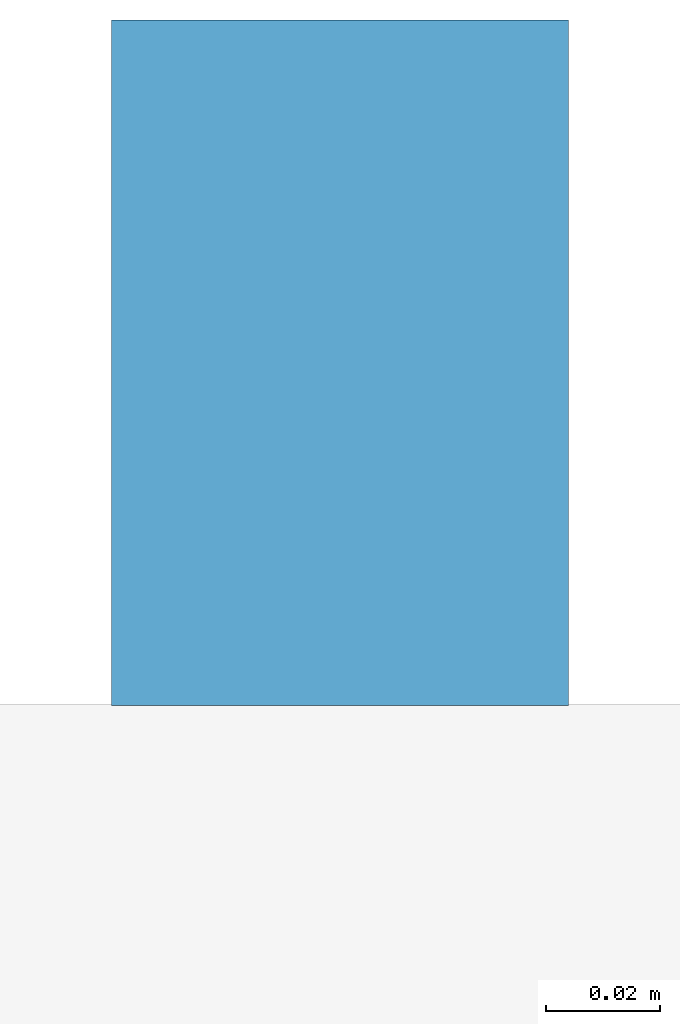
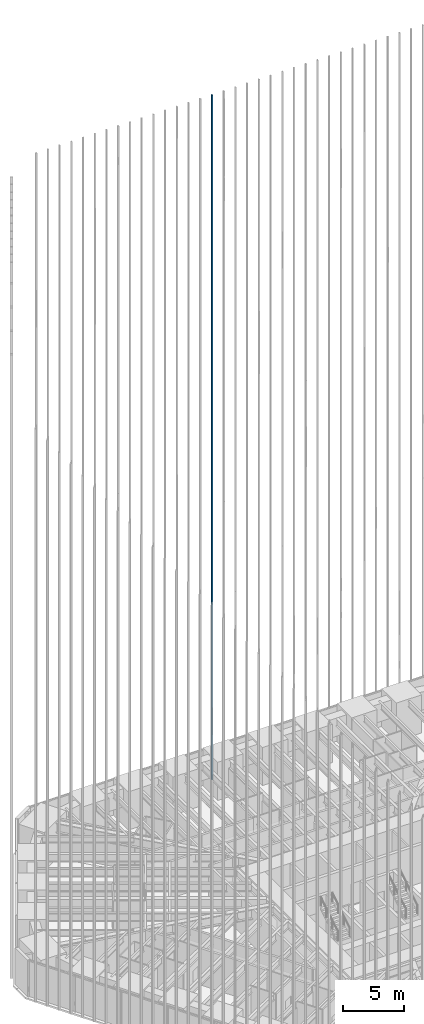
# One storey, part 187 of 256: 1 member, 1 element without a shape of its own.
"""IFC4 building model written with IfcOpenShell, lengths in metres."""

from ifc_helpers import new_model, si_unit, direction, frame, origin, origin_2d, place, context, subcontext, project, spatial, rectangle, extrude, material, material_profile, profile_set, type_object, element, aggregate, save


model = new_model("IFC4")

# Units and contexts
model_context = context("Model", 3, precision=1e-05, world=origin(), true_north=direction((0.0, 1.0)))
body_context = subcontext(model_context, "Body", "Model", "MODEL_VIEW")
ifc_project = project(units=[si_unit("LENGTHUNIT", "METRE"), si_unit("AREAUNIT", "SQUARE_METRE"), si_unit("VOLUMEUNIT", "CUBIC_METRE"), si_unit("PLANEANGLEUNIT", "RADIAN"), si_unit("MASSUNIT", "GRAM", prefix="KILO")], contexts=[model_context])

# Site, building, storey
site_placement = place(None, origin())
site = spatial("IfcSite", under=ifc_project, at=site_placement, CompositionType="ELEMENT")
building_placement = place(site_placement, origin())
building = spatial("IfcBuilding", under=site, at=building_placement, Name="Sandreach Pilgrim Tower", CompositionType="ELEMENT")
storey_placement = place(building_placement, frame((0.0, 0.0, 23.0)))
storey = spatial("IfcBuildingStorey", under=building, at=storey_placement, Name="L04", CompositionType="ELEMENT", Elevation=23.0)

# Curtain wall, member
ifc_material_1 = material(Name="Aluminium framed curtain wall", Category="aluminium")
curtain_wall_type = type_object("IfcCurtainWallType", Name="Hostel tower curtain wall", PredefinedType="NOTDEFINED", material=ifc_material_1)
curtain_wall_placement = place(storey_placement, origin())
curtain_wall = element("IfcCurtainWall", 1, at=curtain_wall_placement, inside=storey, type_object=curtain_wall_type, Name="CW-1 L04 N", PredefinedType="NOTDEFINED")
ifc_material_2 = material(Name="Extruded terracotta on aluminium core", Category="masonry")
ifc_material_profile = material_profile(ifc_material_2, rectangle(XDim=0.080078125, YDim=0.1201171875, at=origin_2d()), Name="TBN 80X120")
ifc_profile_set = profile_set([ifc_material_profile], Name="Extruded terracotta on aluminium core")
member_type = type_object("IfcMemberType", Name="Terracotta baguette north", PredefinedType="USERDEFINED", material=ifc_profile_set)
member_placement = place(storey_placement, frame((-2.208984375, 24.30859375, 0.0), z_axis=(0.0, 0.0, 1.0), x_axis=(1.0, 0.0, 0.0)))
member = element("IfcMember", 2, at=member_placement, type_object=member_type, Name="Baguette Z1 N16", ObjectType="BAGUETTE", PredefinedType="USERDEFINED", context=body_context, shape_type="SweptSolid", body=[
    extrude(rectangle(XDim=0.080078125, YDim=0.1201171875, at=origin_2d()), origin(), (0.0, 0.0, 1.0), 68.239990234375),
])
aggregate(curtain_wall, [member])

save(model, "model.ifc")
